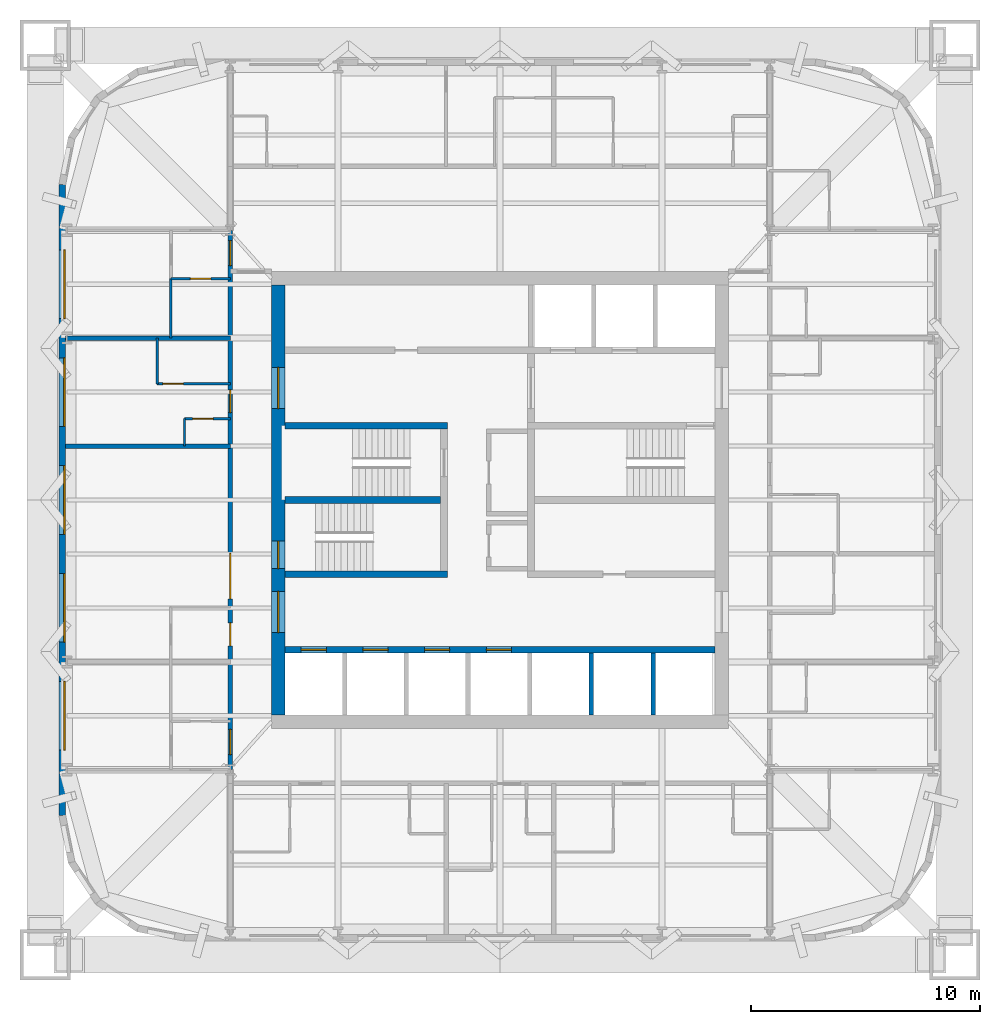
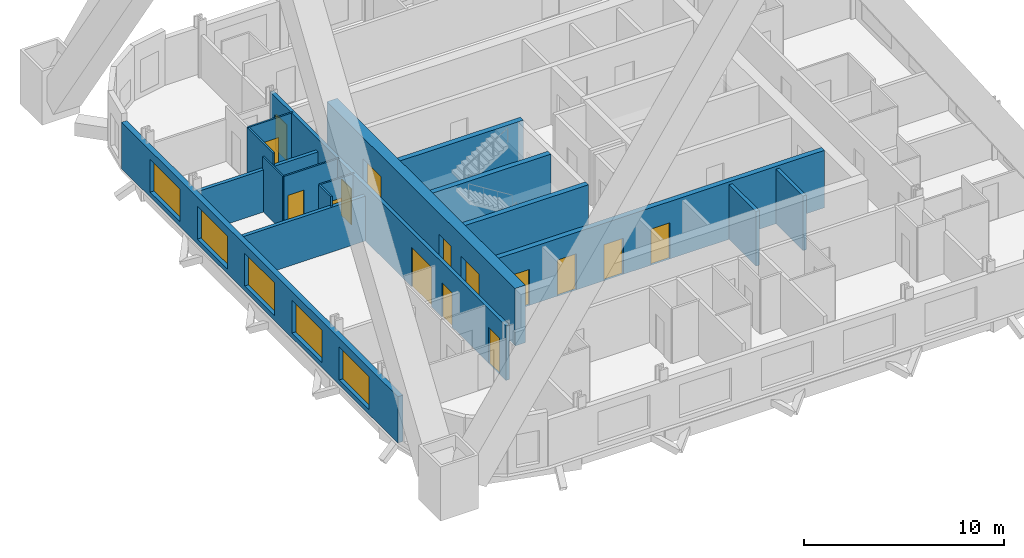
# One storey, part 4 of 9: 17 walls, 15 doors, 5 windows, 20 openings.
"""IFC4 building model written with IfcOpenShell, lengths in metres."""

from ifc_helpers import new_model, si_unit, direction, frame, frame_2d, origin, place, context, subcontext, project, spatial, rectangle, extrude, material, layer, layer_set, type_object, element, fill, save


model = new_model("IFC4")

# Units and contexts
model_context = context("Model", 3, precision=1e-05, world=origin(), true_north=direction((0.0, 1.0)))
body_context = subcontext(model_context, "Body", "Model", "MODEL_VIEW")
ifc_project = project(units=[si_unit("LENGTHUNIT", "METRE"), si_unit("AREAUNIT", "SQUARE_METRE"), si_unit("VOLUMEUNIT", "CUBIC_METRE"), si_unit("PLANEANGLEUNIT", "RADIAN"), si_unit("MASSUNIT", "GRAM", prefix="KILO")], contexts=[model_context])

# Site, building, storey
site_placement = place(None, origin())
site = spatial("IfcSite", under=ifc_project, at=site_placement, CompositionType="ELEMENT")
building_placement = place(site_placement, origin())
building = spatial("IfcBuilding", under=site, at=building_placement, Name="Turquesa Mirador Hotel Tower", CompositionType="ELEMENT")
storey_placement = place(building_placement, frame((0.0, 0.0, 161.800048828125)))
storey = spatial("IfcBuildingStorey", under=building, at=storey_placement, Name="L43", CompositionType="ELEMENT", Elevation=161.800048828125)

# Wall, opening, door
ifc_material_1 = material(Name="Gypsum board on steel studs", Category="steel")
ifc_layer_1 = layer(ifc_material_1, 0.10009765625)
ifc_layer_set_1 = layer_set([ifc_layer_1], Name="BATHROOM WALL 100")
wall_type_1 = type_object("IfcWallType", Name="BATHROOM WALL 100", PredefinedType="PARTITIONING", material=ifc_layer_set_1)
wall_1_placement = place(storey_placement, frame((41.199951171875, 48.56005859375, 0.0), z_axis=(0.0, 0.0, 1.0), x_axis=(1.0, 0.0, 0.0)))
wall_1 = element("IfcWall", 1, at=wall_1_placement, inside=storey, type_object=wall_type_1, Name="Partition L43 032", PredefinedType="PARTITIONING", context=body_context, shape_type="SweptSolid", body=[
    extrude(rectangle(XDim=2.0, YDim=0.10009765625, at=frame_2d((1.0, 0.0))), origin(), (0.0, 0.0, 1.0), 3.329833984375),
])
opening_1_placement = place(wall_1_placement, frame((0.35009765625, 0.0, 0.0)))
opening_1 = element("IfcOpeningElement", 2, at=opening_1_placement, cuts=wall_1, Name="Opening D06", PredefinedType="OPENING", context=body_context, shape_type="SweptSolid", body=[
    extrude(rectangle(XDim=0.89990234375, YDim=2.10009765625, at=frame_2d((0.449951171875, 1.050048828125))), frame((0.0, 0.06005859375, 0.0), z_axis=(0.0, -1.0, 0.0), x_axis=(1.0, 0.0, 0.0)), (0.0, 0.0, 1.0), 0.1201171875),
])
ifc_material_2 = material(Name="Laminate door", Category="wood")
door_type_1 = type_object("IfcDoorType", Name="DOOR 900X2100 WC", OperationType="SINGLE_SWING_LEFT", PredefinedType="DOOR", material=ifc_material_2)
door_1_placement = place(opening_1_placement, origin())
door_1 = element("IfcDoor", 3, at=door_1_placement, inside=storey, type_object=door_type_1, Name="Door 4308W", OperationType="SINGLE_SWING_LEFT", OverallHeight=2.10009765625, OverallWidth=0.89990234375, PredefinedType="DOOR", context=body_context, shape_type="SweptSolid", body=[
    extrude(rectangle(XDim=0.89990234375, YDim=2.10009765625, at=frame_2d((0.449951171875, 1.050048828125))), frame((0.0, 0.02490234375, 0.0), z_axis=(0.0, -1.0, 0.0), x_axis=(1.0, 0.0, 0.0)), (0.0, 0.0, 1.0), 0.050048828125),
])
fill(opening_1, door_1)

wall_2_placement = place(storey_placement, frame((40.0, 50.080078125, 0.0), z_axis=(0.0, 0.0, 1.0), x_axis=(1.0, 0.0, 0.0)))
wall_2 = element("IfcWall", 4, at=wall_2_placement, inside=storey, type_object=wall_type_1, Name="Partition L43 033", PredefinedType="PARTITIONING", context=body_context, shape_type="SweptSolid", body=[
    extrude(rectangle(XDim=3.199951171875, YDim=0.10009765625, at=frame_2d((1.60009765625, 0.0))), origin(), (0.0, 0.0, 1.0), 3.329833984375),
])
opening_2_placement = place(wall_2_placement, frame((0.25, 0.0, 0.0)))
opening_2 = element("IfcOpeningElement", 5, at=opening_2_placement, cuts=wall_2, Name="Opening D02", PredefinedType="OPENING", context=body_context, shape_type="SweptSolid", body=[
    extrude(rectangle(XDim=0.89990234375, YDim=2.10009765625, at=frame_2d((0.449951171875, 1.050048828125))), frame((0.0, 0.06005859375, 0.0), z_axis=(0.0, -1.0, 0.0), x_axis=(1.0, 0.0, 0.0)), (0.0, 0.0, 1.0), 0.1201171875),
])
ifc_material_3 = material(Name="Timber veneered door", Category="wood")
door_type_2 = type_object("IfcDoorType", Name="DOOR 900X2100 EN-SUITE", OperationType="SINGLE_SWING_RIGHT", PredefinedType="DOOR", material=ifc_material_3)
door_2_placement = place(opening_2_placement, origin())
door_2 = element("IfcDoor", 6, at=door_2_placement, inside=storey, type_object=door_type_2, Name="Door 4308B", OperationType="SINGLE_SWING_RIGHT", OverallHeight=2.10009765625, OverallWidth=0.89990234375, PredefinedType="DOOR", context=body_context, shape_type="SweptSolid", body=[
    extrude(rectangle(XDim=0.89990234375, YDim=2.10009765625, at=frame_2d((0.449951171875, 1.050048828125))), frame((0.0, 0.02490234375, 0.0), z_axis=(0.0, -1.0, 0.0), x_axis=(1.0, 0.0, 0.0)), (0.0, 0.0, 1.0), 0.050048828125),
])
fill(opening_2, door_2)

wall_3_placement = place(storey_placement, frame((40.60009765625, 54.679931640625, 0.0), z_axis=(0.0, 0.0, 1.0), x_axis=(1.0, 0.0, 0.0)))
wall_3 = element("IfcWall", 7, at=wall_3_placement, inside=storey, type_object=wall_type_1, Name="Partition L43 038", PredefinedType="PARTITIONING", context=body_context, shape_type="SweptSolid", body=[
    extrude(rectangle(XDim=2.599853515625, YDim=0.10009765625, at=frame_2d((1.2998046875, 0.0))), origin(), (0.0, 0.0, 1.0), 3.329833984375),
])
opening_3_placement = place(wall_3_placement, frame((0.85009765625, 0.0, 0.0)))
opening_3 = element("IfcOpeningElement", 8, at=opening_3_placement, cuts=wall_3, Name="Opening D02", PredefinedType="OPENING", context=body_context, shape_type="SweptSolid", body=[
    extrude(rectangle(XDim=0.89990234375, YDim=2.10009765625, at=frame_2d((0.449951171875, 1.050048828125))), frame((0.0, 0.06005859375, 0.0), z_axis=(0.0, -1.0, 0.0), x_axis=(1.0, 0.0, 0.0)), (0.0, 0.0, 1.0), 0.1201171875),
])
door_3_placement = place(opening_3_placement, origin())
door_3 = element("IfcDoor", 9, at=door_3_placement, inside=storey, type_object=door_type_2, Name="Door 4310B", OperationType="SINGLE_SWING_RIGHT", OverallHeight=2.10009765625, OverallWidth=0.89990234375, PredefinedType="DOOR", context=body_context, shape_type="SweptSolid", body=[
    extrude(rectangle(XDim=0.89990234375, YDim=2.10009765625, at=frame_2d((0.449951171875, 1.050048828125))), frame((0.0, 0.02490234375, 0.0), z_axis=(0.0, -1.0, 0.0), x_axis=(1.0, 0.0, 0.0)), (0.0, 0.0, 1.0), 0.050048828125),
])
fill(opening_3, door_3)

# Walls
wall_4_placement = place(storey_placement, frame((41.199951171875, 47.360107421875, 0.0), z_axis=(0.0, 0.0, 1.0), x_axis=(0.0, 1.0, 0.0)))
element("IfcWall", 10, at=wall_4_placement, inside=storey, type_object=wall_type_1, Name="Partition L43 045", PredefinedType="PARTITIONING", context=body_context, shape_type="SweptSolid", body=[
    extrude(rectangle(XDim=1.199951171875, YDim=0.10009765625, at=frame_2d((0.60009765625, 0.0))), origin(), (0.0, 0.0, 1.0), 3.329833984375),
])
wall_5_placement = place(storey_placement, frame((40.60009765625, 52.080078125, 0.0), z_axis=(0.0, 0.0, 1.0), x_axis=(0.0, 1.0, 0.0)))
element("IfcWall", 11, at=wall_5_placement, inside=storey, type_object=wall_type_1, Name="Partition L43 047", PredefinedType="PARTITIONING", context=body_context, shape_type="SweptSolid", body=[
    extrude(rectangle(XDim=2.599853515625, YDim=0.10009765625, at=frame_2d((1.2998046875, 0.0))), origin(), (0.0, 0.0, 1.0), 3.329833984375),
])
wall_6_placement = place(storey_placement, frame((40.0, 50.080078125, 0.0), z_axis=(0.0, 0.0, 1.0), x_axis=(0.0, 1.0, 0.0)))
element("IfcWall", 12, at=wall_6_placement, inside=storey, type_object=wall_type_1, Name="Partition L43 050", PredefinedType="PARTITIONING", context=body_context, shape_type="SweptSolid", body=[
    extrude(rectangle(XDim=2.0, YDim=0.10009765625, at=frame_2d((1.0, 0.0))), origin(), (0.0, 0.0, 1.0), 3.329833984375),
])

# Wall, openings, doors
ifc_material_4 = material(Name="Concrete C50/60", Category="concrete")
ifc_layer_2 = layer(ifc_material_4, 0.300048828125)
ifc_layer_set_2 = layer_set([ifc_layer_2], Name="CORE INNER WALL 300")
wall_type_2 = type_object("IfcWallType", Name="CORE INNER WALL 300", PredefinedType="SHEAR", material=ifc_layer_set_2)
wall_7_placement = place(storey_placement, frame((45.60009765625, 38.449951171875, 0.0), z_axis=(0.0, 0.0, 1.0), x_axis=(1.0, 0.0, 0.0)))
wall_7 = element("IfcWall", 13, at=wall_7_placement, inside=storey, type_object=wall_type_2, Name="Core wall SL", PredefinedType="SHEAR", context=body_context, shape_type="SweptSolid", body=[
    extrude(rectangle(XDim=18.7998046875, YDim=0.300048828125, at=frame_2d((9.39990234375, 0.0))), origin(), (0.0, 0.0, 1.0), 3.5),
])
opening_4_placement = place(wall_7_placement, frame((0.699951171875, 0.0, 0.0)))
opening_4 = element("IfcOpeningElement", 14, at=opening_4_placement, cuts=wall_7, Name="Opening LD", PredefinedType="OPENING", context=body_context, shape_type="SweptSolid", body=[
    extrude(rectangle(XDim=1.10009765625, YDim=2.199951171875, at=frame_2d((0.550048828125, 1.10009765625))), frame((0.0, 0.159912109375, 0.0), z_axis=(0.0, -1.0, 0.0), x_axis=(1.0, 0.0, 0.0)), (0.0, 0.0, 1.0), 0.320068359375),
])
opening_5_placement = place(wall_7_placement, frame((3.39990234375, 0.0, 0.0)))
opening_5 = element("IfcOpeningElement", 15, at=opening_5_placement, cuts=wall_7, Name="Opening LD", PredefinedType="OPENING", context=body_context, shape_type="SweptSolid", body=[
    extrude(rectangle(XDim=1.10009765625, YDim=2.199951171875, at=frame_2d((0.550048828125, 1.10009765625))), frame((0.0, 0.159912109375, 0.0), z_axis=(0.0, -1.0, 0.0), x_axis=(1.0, 0.0, 0.0)), (0.0, 0.0, 1.0), 0.320068359375),
])
opening_6_placement = place(wall_7_placement, frame((6.10009765625, 0.0, 0.0)))
opening_6 = element("IfcOpeningElement", 16, at=opening_6_placement, cuts=wall_7, Name="Opening LD", PredefinedType="OPENING", context=body_context, shape_type="SweptSolid", body=[
    extrude(rectangle(XDim=1.10009765625, YDim=2.199951171875, at=frame_2d((0.550048828125, 1.10009765625))), frame((0.0, 0.159912109375, 0.0), z_axis=(0.0, -1.0, 0.0), x_axis=(1.0, 0.0, 0.0)), (0.0, 0.0, 1.0), 0.320068359375),
])
opening_7_placement = place(wall_7_placement, frame((8.800048828125, 0.0, 0.0)))
opening_7 = element("IfcOpeningElement", 17, at=opening_7_placement, cuts=wall_7, Name="Opening LD", PredefinedType="OPENING", context=body_context, shape_type="SweptSolid", body=[
    extrude(rectangle(XDim=1.10009765625, YDim=2.199951171875, at=frame_2d((0.550048828125, 1.10009765625))), frame((0.0, 0.159912109375, 0.0), z_axis=(0.0, -1.0, 0.0), x_axis=(1.0, 0.0, 0.0)), (0.0, 0.0, 1.0), 0.320068359375),
])
ifc_material_5 = material(Name="Stainless steel lift landing door", Category="steel")
door_type_3 = type_object("IfcDoorType", Name="LIFT LANDING DOOR 1100X2200", OperationType="SLIDING_TO_LEFT", PredefinedType="DOOR", material=ifc_material_5)
door_4_placement = place(opening_4_placement, origin())
door_4 = element("IfcDoor", 18, at=door_4_placement, inside=storey, type_object=door_type_3, Name="Lift B1 landing door", OperationType="SLIDING_TO_LEFT", OverallHeight=2.199951171875, OverallWidth=1.10009765625, PredefinedType="DOOR", context=body_context, shape_type="SweptSolid", body=[
    extrude(rectangle(XDim=1.10009765625, YDim=2.199951171875, at=frame_2d((0.550048828125, 1.10009765625))), frame((0.0, 0.02490234375, 0.0), z_axis=(0.0, -1.0, 0.0), x_axis=(1.0, 0.0, 0.0)), (0.0, 0.0, 1.0), 0.050048828125),
])
fill(opening_4, door_4)
door_5_placement = place(opening_5_placement, origin())
door_5 = element("IfcDoor", 19, at=door_5_placement, inside=storey, type_object=door_type_3, Name="Lift B2 landing door", OperationType="SLIDING_TO_LEFT", OverallHeight=2.199951171875, OverallWidth=1.10009765625, PredefinedType="DOOR", context=body_context, shape_type="SweptSolid", body=[
    extrude(rectangle(XDim=1.10009765625, YDim=2.199951171875, at=frame_2d((0.550048828125, 1.10009765625))), frame((0.0, 0.02490234375, 0.0), z_axis=(0.0, -1.0, 0.0), x_axis=(1.0, 0.0, 0.0)), (0.0, 0.0, 1.0), 0.050048828125),
])
fill(opening_5, door_5)
door_6_placement = place(opening_6_placement, origin())
door_6 = element("IfcDoor", 20, at=door_6_placement, inside=storey, type_object=door_type_3, Name="Lift B3 landing door", OperationType="SLIDING_TO_LEFT", OverallHeight=2.199951171875, OverallWidth=1.10009765625, PredefinedType="DOOR", context=body_context, shape_type="SweptSolid", body=[
    extrude(rectangle(XDim=1.10009765625, YDim=2.199951171875, at=frame_2d((0.550048828125, 1.10009765625))), frame((0.0, 0.02490234375, 0.0), z_axis=(0.0, -1.0, 0.0), x_axis=(1.0, 0.0, 0.0)), (0.0, 0.0, 1.0), 0.050048828125),
])
fill(opening_6, door_6)
door_7_placement = place(opening_7_placement, origin())
door_7 = element("IfcDoor", 21, at=door_7_placement, inside=storey, type_object=door_type_3, Name="Lift B4 landing door", OperationType="SLIDING_TO_LEFT", OverallHeight=2.199951171875, OverallWidth=1.10009765625, PredefinedType="DOOR", context=body_context, shape_type="SweptSolid", body=[
    extrude(rectangle(XDim=1.10009765625, YDim=2.199951171875, at=frame_2d((0.550048828125, 1.10009765625))), frame((0.0, 0.02490234375, 0.0), z_axis=(0.0, -1.0, 0.0), x_axis=(1.0, 0.0, 0.0)), (0.0, 0.0, 1.0), 0.050048828125),
])
fill(opening_7, door_7)

# Walls
for number, where, z_axis, x_axis, name in (
    (22, (45.60009765625, 48.25, 0.0), (0.0, 0.0, 1.0), (1.0, 0.0, 0.0), "Core wall MN-W"),
    (23, (45.60009765625, 41.75, 0.0), (0.0, 0.0, 1.0), (1.0, 0.0, 0.0), "Core wall MS-W"),
):
    element("IfcWall", number, at=place(storey_placement, frame(where, z_axis=z_axis, x_axis=x_axis)), inside=storey, type_object=wall_type_2, Name=name, PredefinedType="SHEAR", context=body_context, shape_type="SweptSolid", body=[
        extrude(rectangle(XDim=7.099853515625, YDim=0.300048828125, at=frame_2d((3.5498046875, 0.0))), origin(), (0.0, 0.0, 1.0), 3.5),
    ])
wall_8_placement = place(storey_placement, frame((45.60009765625, 45.0, 0.0), z_axis=(0.0, 0.0, 1.0), x_axis=(1.0, 0.0, 0.0)))
element("IfcWall", 24, at=wall_8_placement, inside=storey, type_object=wall_type_2, Name="Core wall M0-W", PredefinedType="SHEAR", context=body_context, shape_type="SweptSolid", body=[
    extrude(rectangle(XDim=6.7998046875, YDim=0.300048828125, at=frame_2d((3.39990234375, 0.0))), origin(), (0.0, 0.0, 1.0), 3.5),
])

# Wall, openings, doors
ifc_material_6 = material(Name="Concrete C50/60", Category="concrete")
ifc_layer_3 = layer(ifc_material_6, 0.60009765625)
ifc_layer_set_3 = layer_set([ifc_layer_3], Name="CORE WALL 600")
wall_type_3 = type_object("IfcWallType", Name="CORE WALL 600", PredefinedType="SHEAR", material=ifc_layer_set_3)
wall_9_placement = place(storey_placement, frame((45.300048828125, 35.60009765625, 0.0), z_axis=(0.0, 0.0, 1.0), x_axis=(0.0, 1.0, 0.0)))
wall_9 = element("IfcWall", 25, at=wall_9_placement, inside=storey, type_object=wall_type_3, Name="Core wall W", PredefinedType="SHEAR", context=body_context, shape_type="SweptSolid", body=[
    extrude(rectangle(XDim=18.7998046875, YDim=0.60009765625, at=frame_2d((9.39990234375, 0.0))), origin(), (0.0, 0.0, 1.0), 3.5),
])
opening_8_placement = place(wall_9_placement, frame((13.39990234375, 0.0, 0.0)))
opening_8 = element("IfcOpeningElement", 26, at=opening_8_placement, cuts=wall_9, Name="Opening D04", PredefinedType="OPENING", context=body_context, shape_type="SweptSolid", body=[
    extrude(rectangle(XDim=1.800048828125, YDim=2.199951171875, at=frame_2d((0.89990234375, 1.10009765625))), frame((0.0, 0.31005859375, 0.0), z_axis=(0.0, -1.0, 0.0), x_axis=(1.0, 0.0, 0.0)), (0.0, 0.0, 1.0), 0.6201171875),
])
opening_9_placement = place(wall_9_placement, frame((3.60009765625, 0.0, 0.0)))
opening_9 = element("IfcOpeningElement", 27, at=opening_9_placement, cuts=wall_9, Name="Opening D04", PredefinedType="OPENING", context=body_context, shape_type="SweptSolid", body=[
    extrude(rectangle(XDim=1.800048828125, YDim=2.199951171875, at=frame_2d((0.89990234375, 1.10009765625))), frame((0.0, 0.31005859375, 0.0), z_axis=(0.0, -1.0, 0.0), x_axis=(1.0, 0.0, 0.0)), (0.0, 0.0, 1.0), 0.6201171875),
])
opening_10_placement = place(wall_9_placement, frame((6.39990234375, 0.0, 0.0)))
opening_10 = element("IfcOpeningElement", 28, at=opening_10_placement, cuts=wall_9, Name="Opening D03", PredefinedType="OPENING", context=body_context, shape_type="SweptSolid", body=[
    extrude(rectangle(XDim=1.199951171875, YDim=2.199951171875, at=frame_2d((0.60009765625, 1.10009765625))), frame((0.0, 0.31005859375, 0.0), z_axis=(0.0, -1.0, 0.0), x_axis=(1.0, 0.0, 0.0)), (0.0, 0.0, 1.0), 0.6201171875),
])
ifc_material_7 = material(Name="Steel fire door", Category="steel")
door_type_4 = type_object("IfcDoorType", Name="DOOR 1200X2200 STAIR", OperationType="SINGLE_SWING_LEFT", PredefinedType="DOOR", material=ifc_material_7)
door_8_placement = place(opening_10_placement, origin())
door_8 = element("IfcDoor", 29, at=door_8_placement, inside=storey, type_object=door_type_4, Name="Stair ST2 door", OperationType="SINGLE_SWING_LEFT", OverallHeight=2.199951171875, OverallWidth=1.199951171875, PredefinedType="DOOR", context=body_context, shape_type="SweptSolid", body=[
    extrude(rectangle(XDim=1.199951171875, YDim=2.199951171875, at=frame_2d((0.60009765625, 1.10009765625))), frame((0.0, 0.02490234375, 0.0), z_axis=(0.0, -1.0, 0.0), x_axis=(1.0, 0.0, 0.0)), (0.0, 0.0, 1.0), 0.050048828125),
])
fill(opening_10, door_8)
ifc_material_8 = material(Name="Steel fire door pair", Category="steel")
door_type_5 = type_object("IfcDoorType", Name="DOOR 1800X2200 PAIR", OperationType="DOUBLE_DOOR_SINGLE_SWING", PredefinedType="DOOR", material=ifc_material_8)
door_9_placement = place(opening_8_placement, origin())
door_9 = element("IfcDoor", 30, at=door_9_placement, inside=storey, type_object=door_type_5, Name="North lift lobby door", OperationType="DOUBLE_DOOR_SINGLE_SWING", OverallHeight=2.199951171875, OverallWidth=1.800048828125, PredefinedType="DOOR", context=body_context, shape_type="SweptSolid", body=[
    extrude(rectangle(XDim=1.800048828125, YDim=2.199951171875, at=frame_2d((0.89990234375, 1.10009765625))), frame((0.0, 0.02490234375, 0.0), z_axis=(0.0, -1.0, 0.0), x_axis=(1.0, 0.0, 0.0)), (0.0, 0.0, 1.0), 0.050048828125),
])
fill(opening_8, door_9)
door_10_placement = place(opening_9_placement, origin())
door_10 = element("IfcDoor", 31, at=door_10_placement, inside=storey, type_object=door_type_5, Name="South lift lobby door", OperationType="DOUBLE_DOOR_SINGLE_SWING", OverallHeight=2.199951171875, OverallWidth=1.800048828125, PredefinedType="DOOR", context=body_context, shape_type="SweptSolid", body=[
    extrude(rectangle(XDim=1.800048828125, YDim=2.199951171875, at=frame_2d((0.89990234375, 1.10009765625))), frame((0.0, 0.02490234375, 0.0), z_axis=(0.0, -1.0, 0.0), x_axis=(1.0, 0.0, 0.0)), (0.0, 0.0, 1.0), 0.050048828125),
])
fill(opening_9, door_10)

ifc_material_9 = material(Name="Fire-rated gypsum board on steel studs", Category="steel")
ifc_layer_4 = layer(ifc_material_9, 0.199951171875)
ifc_layer_set_4 = layer_set([ifc_layer_4], Name="CORRIDOR WALL 200")
wall_type_4 = type_object("IfcWallType", Name="CORRIDOR WALL 200", PredefinedType="PARTITIONING", material=ifc_layer_set_4)
wall_10_placement = place(storey_placement, frame((43.199951171875, 33.219970703125, 0.0), z_axis=(0.0, 0.0, 1.0), x_axis=(0.0, 1.0, 0.0)))
wall_10 = element("IfcWall", 32, at=wall_10_placement, inside=storey, type_object=wall_type_4, Name="Partition L43 042", PredefinedType="PARTITIONING", context=body_context, shape_type="SweptSolid", body=[
    extrude(rectangle(XDim=23.56005859375, YDim=0.199951171875, at=frame_2d((11.780029296875, 0.0))), origin(), (0.0, 0.0, 1.0), 3.329833984375),
])
opening_11_placement = place(wall_10_placement, frame((15.60009765625, 0.0, 0.0)))
opening_11 = element("IfcOpeningElement", 33, at=opening_11_placement, cuts=wall_10, Name="Opening D01", PredefinedType="OPENING", context=body_context, shape_type="SweptSolid", body=[
    extrude(rectangle(XDim=1.0, YDim=2.199951171875, at=frame_2d((0.5, 1.10009765625))), frame((0.0, 0.10986328125, 0.0), z_axis=(0.0, -1.0, 0.0), x_axis=(1.0, 0.0, 0.0)), (0.0, 0.0, 1.0), 0.219970703125),
])
opening_12_placement = place(wall_10_placement, frame((22.030029296875, 0.0, 0.0)))
opening_12 = element("IfcOpeningElement", 34, at=opening_12_placement, cuts=wall_10, Name="Opening D15", PredefinedType="OPENING", context=body_context, shape_type="SweptSolid", body=[
    extrude(rectangle(XDim=1.10009765625, YDim=2.199951171875, at=frame_2d((0.550048828125, 1.10009765625))), frame((0.0, 0.10986328125, 0.0), z_axis=(0.0, -1.0, 0.0), x_axis=(1.0, 0.0, 0.0)), (0.0, 0.0, 1.0), 0.219970703125),
])
opening_13_placement = place(wall_10_placement, frame((0.639892578125, 0.0, 0.0)))
opening_13 = element("IfcOpeningElement", 35, at=opening_13_placement, cuts=wall_10, Name="Opening D15", PredefinedType="OPENING", context=body_context, shape_type="SweptSolid", body=[
    extrude(rectangle(XDim=1.10009765625, YDim=2.199951171875, at=frame_2d((0.550048828125, 1.10009765625))), frame((0.0, 0.10986328125, 0.0), z_axis=(0.0, -1.0, 0.0), x_axis=(1.0, 0.0, 0.0)), (0.0, 0.0, 1.0), 0.219970703125),
])
opening_14_placement = place(wall_10_placement, frame((7.449951171875, 0.0, 0.0)))
opening_14 = element("IfcOpeningElement", 36, at=opening_14_placement, cuts=wall_10, Name="Opening D18", PredefinedType="OPENING", context=body_context, shape_type="SweptSolid", body=[
    extrude(rectangle(XDim=2.0, YDim=2.39990234375, at=frame_2d((1.0, 1.199951171875))), frame((0.0, 0.10986328125, 0.0), z_axis=(0.0, -1.0, 0.0), x_axis=(1.0, 0.0, 0.0)), (0.0, 0.0, 1.0), 0.219970703125),
])
opening_15_placement = place(wall_10_placement, frame((5.39990234375, 0.0, 0.0)))
opening_15 = element("IfcOpeningElement", 37, at=opening_15_placement, cuts=wall_10, Name="Opening D05", PredefinedType="OPENING", context=body_context, shape_type="SweptSolid", body=[
    extrude(rectangle(XDim=1.0, YDim=2.10009765625, at=frame_2d((0.5, 1.050048828125))), frame((0.0, 0.10986328125, 0.0), z_axis=(0.0, -1.0, 0.0), x_axis=(1.0, 0.0, 0.0)), (0.0, 0.0, 1.0), 0.219970703125),
])
ifc_material_10 = material(Name="Steel fire door", Category="steel")
door_type_6 = type_object("IfcDoorType", Name="DOOR 1000X2100 SERVICE", OperationType="SINGLE_SWING_LEFT", PredefinedType="DOOR", material=ifc_material_10)
door_11_placement = place(opening_15_placement, origin())
door_11 = element("IfcDoor", 38, at=door_11_placement, inside=storey, type_object=door_type_6, Name="Door L43-LGP-1", OperationType="SINGLE_SWING_LEFT", OverallHeight=2.10009765625, OverallWidth=1.0, PredefinedType="DOOR", context=body_context, shape_type="SweptSolid", body=[
    extrude(rectangle(XDim=1.0, YDim=2.10009765625, at=frame_2d((0.5, 1.050048828125))), frame((0.0, 0.02490234375, 0.0), z_axis=(0.0, -1.0, 0.0), x_axis=(1.0, 0.0, 0.0)), (0.0, 0.0, 1.0), 0.050048828125),
])
fill(opening_15, door_11)
ifc_material_11 = material(Name="Timber veneered fire door", Category="wood")
door_type_7 = type_object("IfcDoorType", Name="DOOR 1000X2200 GUEST ENTRY", OperationType="SINGLE_SWING_LEFT", PredefinedType="DOOR", material=ifc_material_11)
door_12_placement = place(opening_11_placement, origin())
door_12 = element("IfcDoor", 39, at=door_12_placement, inside=storey, type_object=door_type_7, Name="Door 4308", OperationType="SINGLE_SWING_LEFT", OverallHeight=2.199951171875, OverallWidth=1.0, PredefinedType="DOOR", context=body_context, shape_type="SweptSolid", body=[
    extrude(rectangle(XDim=1.0, YDim=2.199951171875, at=frame_2d((0.5, 1.10009765625))), frame((0.0, 0.02490234375, 0.0), z_axis=(0.0, -1.0, 0.0), x_axis=(1.0, 0.0, 0.0)), (0.0, 0.0, 1.0), 0.050048828125),
])
fill(opening_11, door_12)
ifc_material_12 = material(Name="Timber veneered fire door", Category="wood")
door_type_8 = type_object("IfcDoorType", Name="DOOR 1100X2200 SUITE ENTRY", OperationType="SINGLE_SWING_LEFT", PredefinedType="DOOR", material=ifc_material_12)
door_13_placement = place(opening_12_placement, origin())
door_13 = element("IfcDoor", 40, at=door_13_placement, inside=storey, type_object=door_type_8, Name="Door 4310H", OperationType="SINGLE_SWING_LEFT", OverallHeight=2.199951171875, OverallWidth=1.10009765625, PredefinedType="DOOR", context=body_context, shape_type="SweptSolid", body=[
    extrude(rectangle(XDim=1.10009765625, YDim=2.199951171875, at=frame_2d((0.550048828125, 1.10009765625))), frame((0.0, 0.02490234375, 0.0), z_axis=(0.0, -1.0, 0.0), x_axis=(1.0, 0.0, 0.0)), (0.0, 0.0, 1.0), 0.050048828125),
])
fill(opening_12, door_13)
door_14_placement = place(opening_13_placement, origin())
door_14 = element("IfcDoor", 41, at=door_14_placement, inside=storey, type_object=door_type_8, Name="Door 4311H", OperationType="SINGLE_SWING_LEFT", OverallHeight=2.199951171875, OverallWidth=1.10009765625, PredefinedType="DOOR", context=body_context, shape_type="SweptSolid", body=[
    extrude(rectangle(XDim=1.10009765625, YDim=2.199951171875, at=frame_2d((0.550048828125, 1.10009765625))), frame((0.0, 0.02490234375, 0.0), z_axis=(0.0, -1.0, 0.0), x_axis=(1.0, 0.0, 0.0)), (0.0, 0.0, 1.0), 0.050048828125),
])
fill(opening_13, door_14)
ifc_material_13 = material(Name="Timber veneered fire door pair", Category="wood")
door_type_9 = type_object("IfcDoorType", Name="DOOR 2000X2400 LOUNGE PAIR", OperationType="DOUBLE_DOOR_SINGLE_SWING", PredefinedType="DOOR", material=ifc_material_13)
door_15_placement = place(opening_14_placement, origin())
door_15 = element("IfcDoor", 42, at=door_15_placement, inside=storey, type_object=door_type_9, Name="Door L43-LG", OperationType="DOUBLE_DOOR_SINGLE_SWING", OverallHeight=2.39990234375, OverallWidth=2.0, PredefinedType="DOOR", context=body_context, shape_type="SweptSolid", body=[
    extrude(rectangle(XDim=2.0, YDim=2.39990234375, at=frame_2d((1.0, 1.199951171875))), frame((0.0, 0.02490234375, 0.0), z_axis=(0.0, -1.0, 0.0), x_axis=(1.0, 0.0, 0.0)), (0.0, 0.0, 1.0), 0.050048828125),
])
fill(opening_14, door_15)

# Wall, openings, windows
ifc_material_14 = material(Name="Limestone cladding on concrete block", Category="masonry")
ifc_layer_5 = layer(ifc_material_14, 0.300048828125)
ifc_layer_set_5 = layer_set([ifc_layer_5], Name="FACADE WALL 300 STONE SCREEN")
wall_type_5 = type_object("IfcWallType", Name="FACADE WALL 300 STONE SCREEN", PredefinedType="SOLIDWALL", material=ifc_layer_set_5)
wall_11_placement = place(storey_placement, frame((35.85009765625, 58.800048828125, 0.0), z_axis=(0.0, 0.0, 1.0), x_axis=(0.0, -1.0, 0.0)))
wall_11 = element("IfcWall", 43, at=wall_11_placement, inside=storey, type_object=wall_type_5, Name="Facade wall L43 14", PredefinedType="SOLIDWALL", context=body_context, shape_type="SweptSolid", body=[
    extrude(rectangle(XDim=27.60009765625, YDim=0.300048828125, at=frame_2d((13.800048828125, 0.0))), origin(), (0.0, 0.0, 1.0), 2.829833984375),
])
opening_16_placement = place(wall_11_placement, frame((2.860107421875, 0.0, 0.300048828125)))
opening_16 = element("IfcOpeningElement", 44, at=opening_16_placement, cuts=wall_11, Name="Opening WN1", PredefinedType="OPENING", context=body_context, shape_type="SweptSolid", body=[
    extrude(rectangle(XDim=3.0, YDim=2.0, at=frame_2d((1.5, 1.0))), frame((0.0, 0.159912109375, 0.0), z_axis=(0.0, -1.0, 0.0), x_axis=(1.0, 0.0, 0.0)), (0.0, 0.0, 1.0), 0.320068359375),
])
opening_17_placement = place(wall_11_placement, frame((7.580078125, 0.0, 0.300048828125)))
opening_17 = element("IfcOpeningElement", 45, at=opening_17_placement, cuts=wall_11, Name="Opening WN1", PredefinedType="OPENING", context=body_context, shape_type="SweptSolid", body=[
    extrude(rectangle(XDim=3.0, YDim=2.0, at=frame_2d((1.5, 1.0))), frame((0.0, 0.159912109375, 0.0), z_axis=(0.0, -1.0, 0.0), x_axis=(1.0, 0.0, 0.0)), (0.0, 0.0, 1.0), 0.320068359375),
])
opening_18_placement = place(wall_11_placement, frame((12.300048828125, 0.0, 0.300048828125)))
opening_18 = element("IfcOpeningElement", 46, at=opening_18_placement, cuts=wall_11, Name="Opening WN1", PredefinedType="OPENING", context=body_context, shape_type="SweptSolid", body=[
    extrude(rectangle(XDim=3.0, YDim=2.0, at=frame_2d((1.5, 1.0))), frame((0.0, 0.159912109375, 0.0), z_axis=(0.0, -1.0, 0.0), x_axis=(1.0, 0.0, 0.0)), (0.0, 0.0, 1.0), 0.320068359375),
])
opening_19_placement = place(wall_11_placement, frame((17.02001953125, 0.0, 0.300048828125)))
opening_19 = element("IfcOpeningElement", 47, at=opening_19_placement, cuts=wall_11, Name="Opening WN1", PredefinedType="OPENING", context=body_context, shape_type="SweptSolid", body=[
    extrude(rectangle(XDim=3.0, YDim=2.0, at=frame_2d((1.5, 1.0))), frame((0.0, 0.159912109375, 0.0), z_axis=(0.0, -1.0, 0.0), x_axis=(1.0, 0.0, 0.0)), (0.0, 0.0, 1.0), 0.320068359375),
])
opening_20_placement = place(wall_11_placement, frame((21.739990234375, 0.0, 0.300048828125)))
opening_20 = element("IfcOpeningElement", 48, at=opening_20_placement, cuts=wall_11, Name="Opening WN1", PredefinedType="OPENING", context=body_context, shape_type="SweptSolid", body=[
    extrude(rectangle(XDim=3.0, YDim=2.0, at=frame_2d((1.5, 1.0))), frame((0.0, 0.159912109375, 0.0), z_axis=(0.0, -1.0, 0.0), x_axis=(1.0, 0.0, 0.0)), (0.0, 0.0, 1.0), 0.320068359375),
])
ifc_material_15 = material(Name="Ceramic-fritted laminated glass", Category="glass")
window_type = type_object("IfcWindowType", Name="FRITTED WINDOW 3000X2000", PartitioningType="DOUBLE_PANEL_HORIZONTAL", PredefinedType="WINDOW", material=ifc_material_15)
window_1_placement = place(opening_16_placement, origin())
window_1 = element("IfcWindow", 49, at=window_1_placement, inside=storey, type_object=window_type, Name="Window L43", OverallHeight=2.0, OverallWidth=3.0, PartitioningType="SINGLE_PANEL", PredefinedType="WINDOW", context=body_context, shape_type="SweptSolid", body=[
    extrude(rectangle(XDim=3.0, YDim=2.0, at=frame_2d((1.5, 1.0))), frame((0.0, 0.130126953125, 0.0), z_axis=(0.0, -1.0, 0.0), x_axis=(1.0, 0.0, 0.0)), (0.0, 0.0, 1.0), 0.06005859375),
])
fill(opening_16, window_1)
window_2_placement = place(opening_17_placement, origin())
window_2 = element("IfcWindow", 50, at=window_2_placement, inside=storey, type_object=window_type, Name="Window L43", OverallHeight=2.0, OverallWidth=3.0, PartitioningType="SINGLE_PANEL", PredefinedType="WINDOW", context=body_context, shape_type="SweptSolid", body=[
    extrude(rectangle(XDim=3.0, YDim=2.0, at=frame_2d((1.5, 1.0))), frame((0.0, 0.130126953125, 0.0), z_axis=(0.0, -1.0, 0.0), x_axis=(1.0, 0.0, 0.0)), (0.0, 0.0, 1.0), 0.06005859375),
])
fill(opening_17, window_2)
window_3_placement = place(opening_18_placement, origin())
window_3 = element("IfcWindow", 51, at=window_3_placement, inside=storey, type_object=window_type, Name="Window L43", OverallHeight=2.0, OverallWidth=3.0, PartitioningType="SINGLE_PANEL", PredefinedType="WINDOW", context=body_context, shape_type="SweptSolid", body=[
    extrude(rectangle(XDim=3.0, YDim=2.0, at=frame_2d((1.5, 1.0))), frame((0.0, 0.130126953125, 0.0), z_axis=(0.0, -1.0, 0.0), x_axis=(1.0, 0.0, 0.0)), (0.0, 0.0, 1.0), 0.06005859375),
])
fill(opening_18, window_3)
window_4_placement = place(opening_19_placement, origin())
window_4 = element("IfcWindow", 52, at=window_4_placement, inside=storey, type_object=window_type, Name="Window L43", OverallHeight=2.0, OverallWidth=3.0, PartitioningType="SINGLE_PANEL", PredefinedType="WINDOW", context=body_context, shape_type="SweptSolid", body=[
    extrude(rectangle(XDim=3.0, YDim=2.0, at=frame_2d((1.5, 1.0))), frame((0.0, 0.130126953125, 0.0), z_axis=(0.0, -1.0, 0.0), x_axis=(1.0, 0.0, 0.0)), (0.0, 0.0, 1.0), 0.06005859375),
])
fill(opening_19, window_4)
window_5_placement = place(opening_20_placement, origin())
window_5 = element("IfcWindow", 53, at=window_5_placement, inside=storey, type_object=window_type, Name="Window L43", OverallHeight=2.0, OverallWidth=3.0, PartitioningType="SINGLE_PANEL", PredefinedType="WINDOW", context=body_context, shape_type="SweptSolid", body=[
    extrude(rectangle(XDim=3.0, YDim=2.0, at=frame_2d((1.5, 1.0))), frame((0.0, 0.130126953125, 0.0), z_axis=(0.0, -1.0, 0.0), x_axis=(1.0, 0.0, 0.0)), (0.0, 0.0, 1.0), 0.06005859375),
])
fill(opening_20, window_5)

# Walls
ifc_material_16 = material(Name="Fire-rated gypsum shaft wall on steel studs", Category="steel")
ifc_layer_6 = layer(ifc_material_16, 0.199951171875)
ifc_layer_set_6 = layer_set([ifc_layer_6], Name="LIFT SHAFT DIVIDER 200")
wall_type_6 = type_object("IfcWallType", Name="LIFT SHAFT DIVIDER 200", PredefinedType="PARTITIONING", material=ifc_layer_set_6)
for number, where, z_axis, x_axis, name in (
    (54, (59.0, 35.60009765625, 0.0), (0.0, 0.0, 1.0), (0.0, 1.0, 0.0), "Lift shaft divider"),
    (55, (61.699951171875, 35.60009765625, 0.0), (0.0, 0.0, 1.0), (0.0, 1.0, 0.0), "Lift shaft divider"),
):
    element("IfcWall", number, at=place(storey_placement, frame(where, z_axis=z_axis, x_axis=x_axis)), inside=storey, type_object=wall_type_6, Name=name, PredefinedType="PARTITIONING", context=body_context, shape_type="SweptSolid", body=[
        extrude(rectangle(XDim=2.699951171875, YDim=0.199951171875, at=frame_2d((1.35009765625, 0.0))), origin(), (0.0, 0.0, 1.0), 3.329833984375),
    ])
ifc_material_17 = material(Name="Fire-rated gypsum board on steel studs", Category="steel")
ifc_layer_7 = layer(ifc_material_17, 0.199951171875)
ifc_layer_set_7 = layer_set([ifc_layer_7], Name="PARTY WALL 200")
wall_type_7 = type_object("IfcWallType", Name="PARTY WALL 200", PredefinedType="PARTITIONING", material=ifc_layer_set_7)
wall_12_placement = place(storey_placement, frame((36.0, 47.360107421875, 0.0), z_axis=(0.0, 0.0, 1.0), x_axis=(1.0, 0.0, 0.0)))
element("IfcWall", 56, at=wall_12_placement, inside=storey, type_object=wall_type_7, Name="Partition L43 031", PredefinedType="PARTITIONING", context=body_context, shape_type="SweptSolid", body=[
    extrude(rectangle(XDim=7.199951171875, YDim=0.199951171875, at=frame_2d((3.60009765625, 0.0))), origin(), (0.0, 0.0, 1.0), 2.73046875),
])
wall_13_placement = place(storey_placement, frame((36.0, 52.080078125, 0.0), z_axis=(0.0, 0.0, 1.0), x_axis=(1.0, 0.0, 0.0)))
element("IfcWall", 57, at=wall_13_placement, inside=storey, type_object=wall_type_7, Name="Partition L43 035", PredefinedType="PARTITIONING", context=body_context, shape_type="SweptSolid", body=[
    extrude(rectangle(XDim=7.199951171875, YDim=0.199951171875, at=frame_2d((3.60009765625, 0.0))), origin(), (0.0, 0.0, 1.0), 2.572998046875),
])

save(model, "model.ifc")
